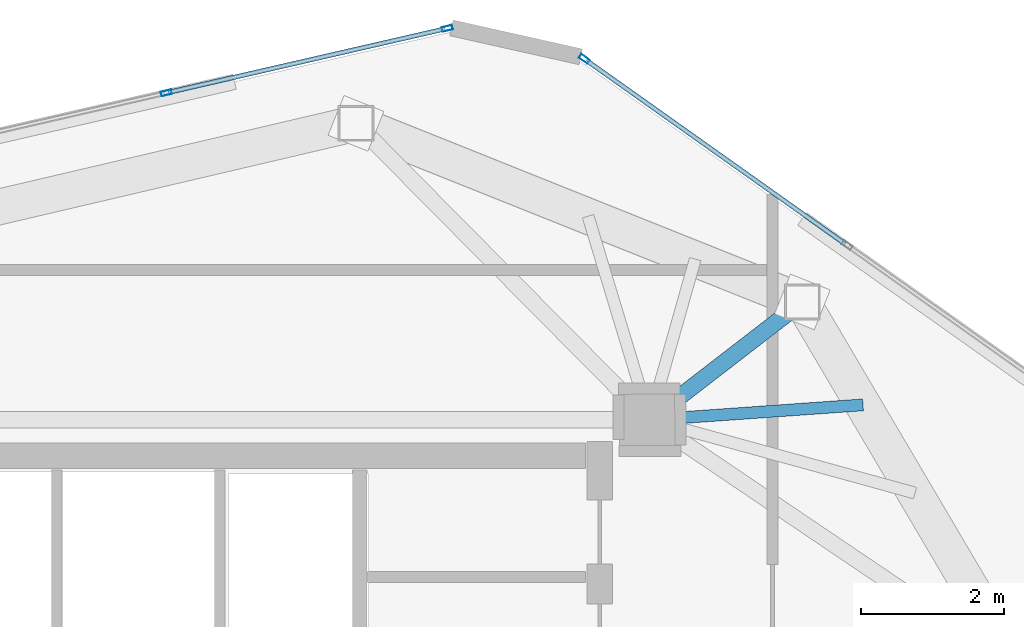
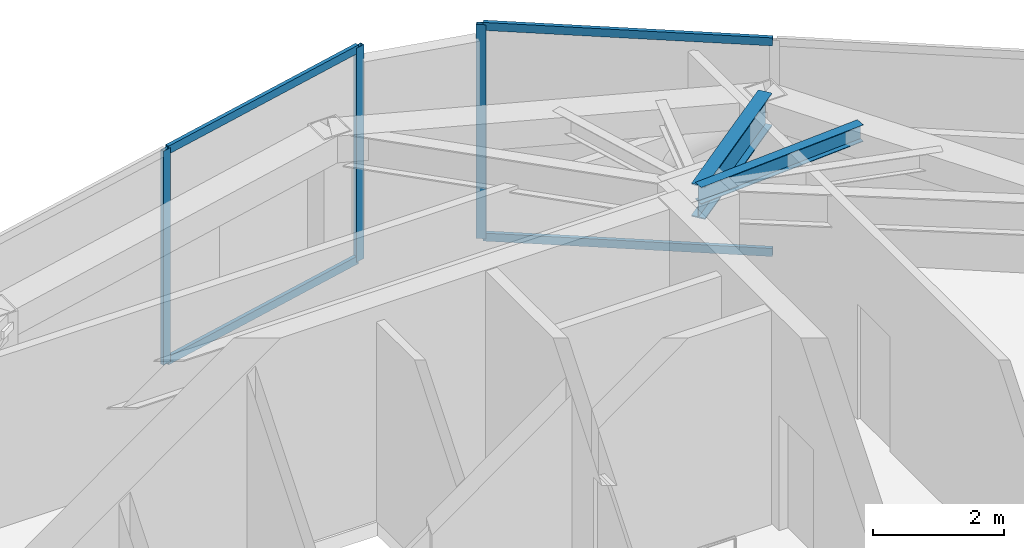
# One storey, part 15 of 20: 7 members, 2 beams, 2 elements without a shape of their own.
"""IFC4 building model written with IfcOpenShell, lengths in metres."""

import ifcopenshell
import ifcopenshell.guid

model = None  # the IFC model being written
_history = None  # IfcOwnerHistory: only IFC2X3 demands one
_inside = {}  # id of a spatial element -> (the spatial element, [elements in it])
_under = {}  # id of a project, library or spatial element -> (it, [spatial elements below it])
_declared = {}  # id of a project -> (the project, [libraries it declares])
_typed = {}  # id of a type object -> (the type object, [elements of that type])
_made_of = {}  # id of a material, layer set ... -> (it, [elements and type objects made of it])


def new_model(schema):
    """Start an empty IFC model of exactly this schema.

    Asked for "IFC4X3", IfcOpenShell would pick the latest addendum, in which some entities
    have other attributes; the version numbers below select the first issue.
    IFC2X3 requires an IfcOwnerHistory on every rooted entity: one is made here for all.
    """
    global model, _history
    if schema == "IFC4X3":
        model = ifcopenshell.file(schema_version=(4, 3, 0, 0))
    else:
        model = ifcopenshell.file(schema=schema)
    _inside.clear()
    _under.clear()
    _declared.clear()
    _typed.clear()
    _made_of.clear()
    _history = None
    if model.schema == "IFC2X3":
        org = make("IfcOrganization", Name="unknown")
        user = make(
            "IfcPersonAndOrganization",
            ThePerson=make("IfcPerson", FamilyName="unknown"),
            TheOrganization=org,
        )
        app = make(
            "IfcApplication",
            ApplicationDeveloper=org,
            Version="unknown",
            ApplicationFullName="unknown",
            ApplicationIdentifier="unknown",
        )
        _history = make(
            "IfcOwnerHistory",
            OwningUser=user,
            OwningApplication=app,
            ChangeAction="ADDED",
            CreationDate=0,
        )
    return model


def make(cls, **values):
    """One entity of the class cls with the attributes given. An attribute that is None is left unset."""
    return model.create_entity(
        cls, **{name: value for name, value in values.items() if value is not None}
    )


def rooted(cls, **values):
    """An entity with a GlobalId (a new one), such as an element, a storey or a relation."""
    return make(cls, GlobalId=ifcopenshell.guid.new(), OwnerHistory=_history, **values)


def si_unit(unit_type, name, prefix=None):
    """IfcSIUnit, for example si_unit("LENGTHUNIT", "METRE", prefix="MILLI")."""
    return make("IfcSIUnit", UnitType=unit_type, Prefix=prefix, Name=name)


def assignment(units):
    """IfcUnitAssignment: the units of a project."""
    return None if units is None else make("IfcUnitAssignment", Units=units)


def point(xyz):
    """IfcCartesianPoint."""
    return None if xyz is None else make("IfcCartesianPoint", Coordinates=xyz)


def direction(xyz):
    """IfcDirection."""
    return None if xyz is None else make("IfcDirection", DirectionRatios=xyz)


def frame(location, z_axis=None, x_axis=None):
    """IfcAxis2Placement3D, a coordinate frame: its origin and axes. An axis left out is left unset."""
    return make(
        "IfcAxis2Placement3D",
        Location=point(location),
        Axis=direction(z_axis),
        RefDirection=direction(x_axis),
    )


def frame_2d(location, x_axis=None):
    """IfcAxis2Placement2D, a coordinate frame in the plane: its origin and x axis."""
    return make(
        "IfcAxis2Placement2D", Location=point(location), RefDirection=direction(x_axis)
    )


def origin():
    """The frame at (0, 0, 0) with its axes left unset."""
    return frame((0.0, 0.0, 0.0))


def origin_2d():
    """The frame at (0, 0) in the plane with its x axis left unset."""
    return frame_2d((0.0, 0.0))


def place(relative_to, where):
    """IfcLocalPlacement: puts the frame where relative to a parent placement (None: the world)."""
    return make(
        "IfcLocalPlacement", PlacementRelTo=relative_to, RelativePlacement=where
    )


def context(
    kind, dimensions, precision=None, world=None, true_north=None, identifier=None
):
    """IfcGeometricRepresentationContext, for example the 3D "Model" context."""
    return make(
        "IfcGeometricRepresentationContext",
        ContextIdentifier=identifier,
        ContextType=kind,
        CoordinateSpaceDimension=dimensions,
        Precision=precision,
        WorldCoordinateSystem=world,
        TrueNorth=true_north,
    )


def subcontext(parent, identifier, kind, view, scale=None):
    """IfcGeometricRepresentationSubContext, for example "Body" below "Model"."""
    return make(
        "IfcGeometricRepresentationSubContext",
        ContextIdentifier=identifier,
        ContextType=kind,
        ParentContext=parent,
        TargetScale=scale,
        TargetView=view,
    )


def project(units=None, contexts=None):
    """IfcProject with its units and contexts."""
    return rooted(
        "IfcProject",
        Name="project",
        RepresentationContexts=contexts,
        UnitsInContext=assignment(units),
    )


def spatial(cls, under=None, at=None, **own):
    """A site, building, storey or space (cls), placed at a placement, below another one or the project."""
    s = rooted(cls, ObjectPlacement=at, **own)
    if under is not None:
        _under.setdefault(under.id(), (under, []))[1].append(s)
    return s


def profile(cls, at=None, kind="AREA", **sizes):
    """A parametric profile (cls). Its sizes go by their IFC names, for example OverallWidth=200.0."""
    return make(cls, ProfileType=kind, Position=at, **sizes)


def hollow_rectangle(**sizes):
    """IfcRectangleHollowProfileDef."""
    return profile("IfcRectangleHollowProfileDef", **sizes)


def i_section(**sizes):
    """IfcIShapeProfileDef."""
    return profile("IfcIShapeProfileDef", **sizes)


def extrude(swept, where, along, depth):
    """IfcExtrudedAreaSolid: the profile swept, set in the frame where, extruded along a direction by depth."""
    return make(
        "IfcExtrudedAreaSolid",
        SweptArea=swept,
        Position=where,
        ExtrudedDirection=direction(along),
        Depth=depth,
    )


def shape(context_of_items, identifier, shape_type, items):
    """IfcShapeRepresentation: the items that make up one representation, for example the "Body"."""
    return make(
        "IfcShapeRepresentation",
        ContextOfItems=context_of_items,
        RepresentationIdentifier=identifier,
        RepresentationType=shape_type,
        Items=items,
    )


def source(mapping_origin, context_of_items, identifier, shape_type, items):
    """IfcRepresentationMap: a shape defined once, which mapped items show again and again."""
    return make(
        "IfcRepresentationMap",
        MappingOrigin=mapping_origin,
        MappedRepresentation=shape(context_of_items, identifier, shape_type, items),
    )


def transform(
    local_origin,
    x_axis=None,
    y_axis=None,
    z_axis=None,
    scale=None,
    scale2=None,
    scale3=None,
    uniform=True,
):
    """IfcCartesianTransformationOperator3D, or its non-uniform kind. x_axis, y_axis, z_axis: its Axis1, 2, 3."""
    if uniform:
        return make(
            "IfcCartesianTransformationOperator3D",
            Axis1=direction(x_axis),
            Axis2=direction(y_axis),
            LocalOrigin=point(local_origin),
            Scale=scale,
            Axis3=direction(z_axis),
        )
    return make(
        "IfcCartesianTransformationOperator3DnonUniform",
        Axis1=direction(x_axis),
        Axis2=direction(y_axis),
        LocalOrigin=point(local_origin),
        Scale=scale,
        Axis3=direction(z_axis),
        Scale2=scale2,
        Scale3=scale3,
    )


def mapped(mapping_source, mapping_target):
    """IfcMappedItem: shows the shape of a source again, moved by a transform."""
    return make(
        "IfcMappedItem", MappingSource=mapping_source, MappingTarget=mapping_target
    )


def material(Name=None, Category=None):
    """IfcMaterial."""
    return make("IfcMaterial", Name=Name, Category=Category)


def layer(
    of_material, thickness, ventilated=None, Name=None, Category=None, Priority=None
):
    """IfcMaterialLayer: one layer of a wall or slab, of a material (None: an air gap)."""
    return make(
        "IfcMaterialLayer",
        Material=of_material,
        LayerThickness=thickness,
        IsVentilated=ventilated,
        Name=Name,
        Category=Category,
        Priority=Priority,
    )


def layer_set(layers, Name=None):
    """IfcMaterialLayerSet."""
    return make("IfcMaterialLayerSet", MaterialLayers=layers, LayerSetName=Name)


def material_profile(
    of_material, cross_section, Name=None, Category=None, Priority=None
):
    """IfcMaterialProfile: a cross section and its material."""
    return make(
        "IfcMaterialProfile",
        Name=Name,
        Material=of_material,
        Profile=cross_section,
        Priority=Priority,
        Category=Category,
    )


def profile_set(profiles, Name=None, composite=None):
    """IfcMaterialProfileSet."""
    return make(
        "IfcMaterialProfileSet",
        Name=Name,
        MaterialProfiles=profiles,
        CompositeProfile=composite,
    )


def made_of(thing, what):
    """Note that an element or type object is made of a material, layer set ...; save() writes the relation."""
    if what is not None:
        _made_of.setdefault(what.id(), (what, []))[1].append(thing)
    return thing


def type_object(cls, material=None, **own):
    """A type object (cls), such as IfcWallType, which elements share."""
    return made_of(rooted(cls, **own), material)


def type_shapes(of_type, sources):
    """Give a type object the sources (RepresentationMaps) that its elements show as mapped items."""
    of_type.RepresentationMaps = sources


def element(
    cls,
    number,
    at=None,
    inside=None,
    cuts=None,
    type_object=None,
    material=None,
    context=None,
    identifier="Body",
    shape_type=None,
    held_by="IfcProductDefinitionShape",
    body=None,
    shapes=None,
    **own,
):
    """One element of the class cls, such as IfcWall. Its Tag is "e" and its number.

    at: its placement. inside: the storey or other place that contains it. cuts: it is an
    opening in that element (IfcRelVoidsElement). A single representation is given by context,
    identifier, shape_type and body (its items); several are given by shapes. held_by: the class
    of the entity that holds the representations. save() writes the other relations.
    """
    e = rooted(cls, Tag="e%d" % number, ObjectPlacement=at, **own)
    if body is not None:
        shapes = [shape(context, identifier, shape_type, body)]
    if shapes is not None:
        e.Representation = make(held_by, Representations=shapes)
    if inside is not None:
        _inside.setdefault(inside.id(), (inside, []))[1].append(e)
    if cuts is not None:
        rooted(
            "IfcRelVoidsElement", RelatingBuildingElement=cuts, RelatedOpeningElement=e
        )
    if type_object is not None:
        _typed.setdefault(type_object.id(), (type_object, []))[1].append(e)
    return made_of(e, material)


def aggregate(whole, parts):
    """IfcRelAggregates: a whole, such as a stair, and the parts it consists of."""
    return rooted("IfcRelAggregates", RelatingObject=whole, RelatedObjects=parts)


def save(model, path):
    """Write the relations noted so far, then the file.

    IfcRelAggregates (storeys below a building ...), IfcRelContainedInSpatialStructure (elements
    in a storey), IfcRelDefinesByType, IfcRelAssociatesMaterial and IfcRelDeclares: one each for
    every whole, place, type object, material and project.
    """
    for whole, parts in _under.values():
        aggregate(whole, parts)
    for where, things in _inside.values():
        rooted(
            "IfcRelContainedInSpatialStructure",
            RelatedElements=things,
            RelatingStructure=where,
        )
    for kind, things in _typed.values():
        rooted("IfcRelDefinesByType", RelatedObjects=things, RelatingType=kind)
    for what, things in _made_of.values():
        rooted("IfcRelAssociatesMaterial", RelatedObjects=things, RelatingMaterial=what)
    for by, libraries in _declared.values():
        rooted("IfcRelDeclares", RelatingContext=by, RelatedDefinitions=libraries)
    model.write(path)


model = new_model("IFC4")

# Units and contexts
model_context = context("Model", 3, precision=1e-05, world=origin(), true_north=direction((0.0, 1.0)))
body_context = subcontext(model_context, "Body", "Model", "MODEL_VIEW")
ifc_project = project(units=[si_unit("LENGTHUNIT", "METRE"), si_unit("AREAUNIT", "SQUARE_METRE"), si_unit("VOLUMEUNIT", "CUBIC_METRE"), si_unit("PLANEANGLEUNIT", "RADIAN"), si_unit("MASSUNIT", "GRAM", prefix="KILO")], contexts=[model_context])

# Site, building, storey
site_placement = place(None, origin())
site = spatial("IfcSite", under=ifc_project, at=site_placement, CompositionType="ELEMENT")
building_placement = place(site_placement, origin())
building = spatial("IfcBuilding", under=site, at=building_placement, Name="Talar Marvaseh", CompositionType="ELEMENT")
storey_placement = place(building_placement, frame((0.0, 0.0, 312.0)))
storey = spatial("IfcBuildingStorey", under=building, at=storey_placement, Name="L83", CompositionType="ELEMENT", Elevation=312.0)

# Beams
ifc_material_1 = material(Name="Steel S355", Category="steel")
ifc_material_profile_1 = material_profile(ifc_material_1, i_section(OverallWidth=0.166015625, OverallDepth=0.31298828125, WebThickness=0.006591796875, FlangeThickness=0.01123046875, at=origin_2d()), Name="W310x45")
ifc_profile_set_1 = profile_set([ifc_material_profile_1], Name="Steel S355")
beam_type_1 = type_object("IfcBeamType", Name="Zone 3 Secondary Floor Joist W310x45", PredefinedType="JOIST", material=ifc_profile_set_1)
beam_1_placement = place(storey_placement, frame((36.287109375, 37.1103515625, 3.568603515625), z_axis=(-0.99752734531, -0.070279409208, 0.0), x_axis=(0.070279409208, -0.99752734531, 0.0)))
element("IfcBeam", 1, at=beam_1_placement, inside=storey, type_object=beam_type_1, Name="L83 Zone 3 Secondary Floor Joist W310x45", PredefinedType="JOIST", context=body_context, shape_type="SweptSolid", body=[
    extrude(i_section(OverallWidth=0.166015625, OverallDepth=0.31298828125, WebThickness=0.006591796875, FlangeThickness=0.01123046875, at=origin_2d()), origin(), (0.0, 0.0, 1.0), 2.994384765625),
])
ifc_material_profile_2 = material_profile(ifc_material_1, i_section(OverallWidth=0.22998046875, OverallDepth=0.616943359375, WebThickness=0.01318359375, FlangeThickness=0.022216796875, at=origin_2d()), Name="W610x140")
ifc_profile_set_2 = profile_set([ifc_material_profile_2], Name="Steel S355")
beam_type_2 = type_object("IfcBeamType", Name="Zone 4 Radial Floor Girder W610x140", PredefinedType="BEAM", material=ifc_profile_set_2)
beam_2_placement = place(storey_placement, frame((35.43798828125, 38.551025390625, 3.41650390625), z_axis=(-0.791449946636, -0.611233982996, 0.0), x_axis=(0.611233982996, -0.791449946636, 0.0)))
element("IfcBeam", 2, at=beam_2_placement, inside=storey, type_object=beam_type_2, Name="L83 Zone 4 Radial Floor Girder W610x140", PredefinedType="BEAM", context=body_context, shape_type="SweptSolid", body=[
    extrude(i_section(OverallWidth=0.22998046875, OverallDepth=0.616943359375, WebThickness=0.01318359375, FlangeThickness=0.022216796875, at=origin_2d()), origin(), (0.0, 0.0, 1.0), 2.701416015625),
])

# Curtain wall, members
ifc_material_2 = material(Name="Architectural Aluminium", Category="aluminium")
ifc_layer = layer(ifc_material_2, 0.2099609375)
ifc_layer_set = layer_set([ifc_layer], Name="Architectural Aluminium")
curtain_wall_type = type_object("IfcCurtainWallType", Name="Crown Plant Acoustic Spandrel Curtain Wall", PredefinedType="NOTDEFINED", material=ifc_layer_set)
curtain_wall_1_placement = place(storey_placement, origin())
curtain_wall_1 = element("IfcCurtainWall", 3, at=curtain_wall_1_placement, inside=storey, type_object=curtain_wall_type, Name="L83 Crown Plant Acoustic Spandrel Curtain Wall", PredefinedType="NOTDEFINED")
ifc_material_profile_3 = material_profile(ifc_material_2, hollow_rectangle(XDim=0.06494140625, YDim=0.14990234375, WallThickness=0.00390625, at=origin_2d()), Name="RHS150x65x4")
ifc_profile_set_3 = profile_set([ifc_material_profile_3], Name="Architectural Aluminium")
member_type_1 = type_object("IfcMemberType", Name="Unitised Curtain Wall Slim Transom RHS150x65x4", PredefinedType="USERDEFINED", material=ifc_profile_set_3)
shared_shape_1 = source(origin(), body_context, "Body", "SweptSolid", [
    extrude(hollow_rectangle(XDim=0.06494140625, YDim=0.14990234375, WallThickness=0.00390625, at=origin_2d()), origin(), (0.0, 0.0, 1.0), 4.447265625),
])
member_1_placement = place(storey_placement, frame((32.41064453125, 41.93603515625, 0.032470703125), z_axis=(0.815690974726, -0.578487885569, 0.0), x_axis=(0.578487885569, 0.815690974726, 0.0)))
member_1 = element("IfcMember", 4, at=member_1_placement, type_object=member_type_1, Name="CW-CRN transom 1.1", ObjectType="TRANSOM", PredefinedType="USERDEFINED", context=body_context, shape_type="MappedRepresentation", body=[
    mapped(shared_shape_1, transform((0.0, 0.0, 0.0), x_axis=(1.0, 0.0, 0.0), y_axis=(0.0, 1.0, 0.0), z_axis=(0.0, 0.0, 1.0), scale=1.0)),
])
member_2_placement = place(storey_placement, frame((32.41064453125, 41.93603515625, 3.967529296875), z_axis=(0.815690974726, -0.578487885569, 0.0), x_axis=(0.578487885569, 0.815690974726, 0.0)))
member_2 = element("IfcMember", 5, at=member_2_placement, type_object=member_type_1, Name="CW-CRN transom 1.2", ObjectType="TRANSOM", PredefinedType="USERDEFINED", context=body_context, shape_type="MappedRepresentation", body=[
    mapped(shared_shape_1, transform((0.0, 0.0, 0.0), x_axis=(1.0, 0.0, 0.0), y_axis=(0.0, 1.0, 0.0), z_axis=(0.0, 0.0, 1.0), scale=1.0)),
])

curtain_wall_2_placement = place(storey_placement, origin())
curtain_wall_2 = element("IfcCurtainWall", 6, at=curtain_wall_2_placement, inside=storey, type_object=curtain_wall_type, Name="L83 Crown Plant Acoustic Spandrel Curtain Wall", PredefinedType="NOTDEFINED")
shared_shape_2 = source(origin(), body_context, "Body", "SweptSolid", [
    extrude(hollow_rectangle(XDim=0.06494140625, YDim=0.14990234375, WallThickness=0.00390625, at=origin_2d()), origin(), (0.0, 0.0, 1.0), 3.97119140625),
])
type_shapes(member_type_1, [shared_shape_1, shared_shape_2])
member_3_placement = place(storey_placement, frame((26.564208984375, 41.48583984375, 0.032470703125), z_axis=(0.974638250657, 0.223786238087, 0.0), x_axis=(-0.223786238087, 0.974638250657, 0.0)))
member_3 = element("IfcMember", 7, at=member_3_placement, type_object=member_type_1, Name="CW-CRN transom 3.1", ObjectType="TRANSOM", PredefinedType="USERDEFINED", context=body_context, shape_type="MappedRepresentation", body=[
    mapped(shared_shape_2, transform((0.0, 0.0, 0.0), x_axis=(1.0, 0.0, 0.0), y_axis=(0.0, 1.0, 0.0), z_axis=(0.0, 0.0, 1.0), scale=1.0)),
])
member_4_placement = place(storey_placement, frame((26.564208984375, 41.48583984375, 3.967529296875), z_axis=(0.974638250657, 0.223786238087, 0.0), x_axis=(-0.223786238087, 0.974638250657, 0.0)))
member_4 = element("IfcMember", 8, at=member_4_placement, type_object=member_type_1, Name="CW-CRN transom 3.2", ObjectType="TRANSOM", PredefinedType="USERDEFINED", context=body_context, shape_type="MappedRepresentation", body=[
    mapped(shared_shape_2, transform((0.0, 0.0, 0.0), x_axis=(1.0, 0.0, 0.0), y_axis=(0.0, 1.0, 0.0), z_axis=(0.0, 0.0, 1.0), scale=1.0)),
])
ifc_material_profile_4 = material_profile(ifc_material_2, hollow_rectangle(XDim=0.06494140625, YDim=0.14990234375, WallThickness=0.00390625, at=origin_2d()), Name="RHS150x65x4")
ifc_profile_set_4 = profile_set([ifc_material_profile_4], Name="Architectural Aluminium")
member_type_2 = type_object("IfcMemberType", Name="Unitised Curtain Wall Slim Mullion RHS150x65x4", PredefinedType="MULLION", material=ifc_profile_set_4)
shared_shape_3 = source(origin(), body_context, "Body", "SweptSolid", [
    extrude(hollow_rectangle(XDim=0.06494140625, YDim=0.14990234375, WallThickness=0.00390625, at=origin_2d()), origin(), (0.0, 0.0, 1.0), 4.0),
])
type_shapes(member_type_2, [shared_shape_3])
member_5_placement = place(storey_placement, frame((26.532470703125, 41.478515625, 0.0), z_axis=(0.0, 0.0, 1.0), x_axis=(-0.223791926761, 0.974636944465, 0.0)))
member_5 = element("IfcMember", 9, at=member_5_placement, type_object=member_type_2, Name="CW-CRN mullion 3", PredefinedType="MULLION", context=body_context, shape_type="MappedRepresentation", body=[
    mapped(shared_shape_3, transform((0.0, 0.0, 0.0), x_axis=(1.0, 0.0, 0.0), y_axis=(0.0, 1.0, 0.0), z_axis=(0.0, 0.0, 1.0), scale=1.0)),
])
member_6_placement = place(storey_placement, frame((30.46630859375, 42.3818359375, 0.0), z_axis=(0.0, 0.0, 1.0), x_axis=(-0.223791926761, 0.974636944465, 0.0)))
member_6 = element("IfcMember", 10, at=member_6_placement, type_object=member_type_2, Name="CW-CRN mullion 4", PredefinedType="MULLION", context=body_context, shape_type="MappedRepresentation", body=[
    mapped(shared_shape_3, transform((0.0, 0.0, 0.0), x_axis=(1.0, 0.0, 0.0), y_axis=(0.0, 1.0, 0.0), z_axis=(0.0, 0.0, 1.0), scale=1.0)),
])
aggregate(curtain_wall_2, [member_5, member_6, member_3, member_4])

# Member
member_7_placement = place(storey_placement, frame((32.38427734375, 41.954833984375, 0.0), z_axis=(0.0, 0.0, 1.0), x_axis=(0.578512539176, 0.815673489833, 0.0)))
member_7 = element("IfcMember", 11, at=member_7_placement, type_object=member_type_2, Name="CW-CRN mullion 1", PredefinedType="MULLION", context=body_context, shape_type="MappedRepresentation", body=[
    mapped(shared_shape_3, transform((0.0, 0.0, 0.0), x_axis=(1.0, 0.0, 0.0), y_axis=(0.0, 1.0, 0.0), z_axis=(0.0, 0.0, 1.0), scale=1.0)),
])

aggregate(curtain_wall_1, [member_7, member_1, member_2])

save(model, "model.ifc")
